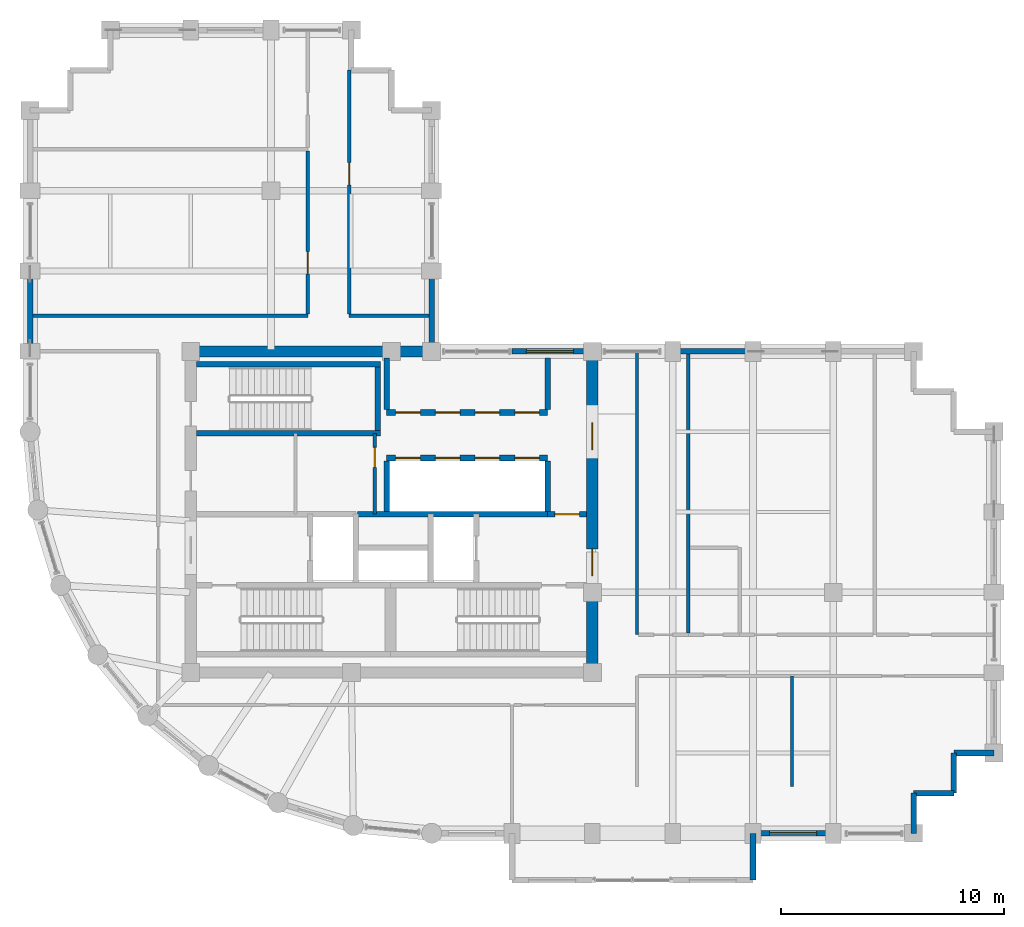
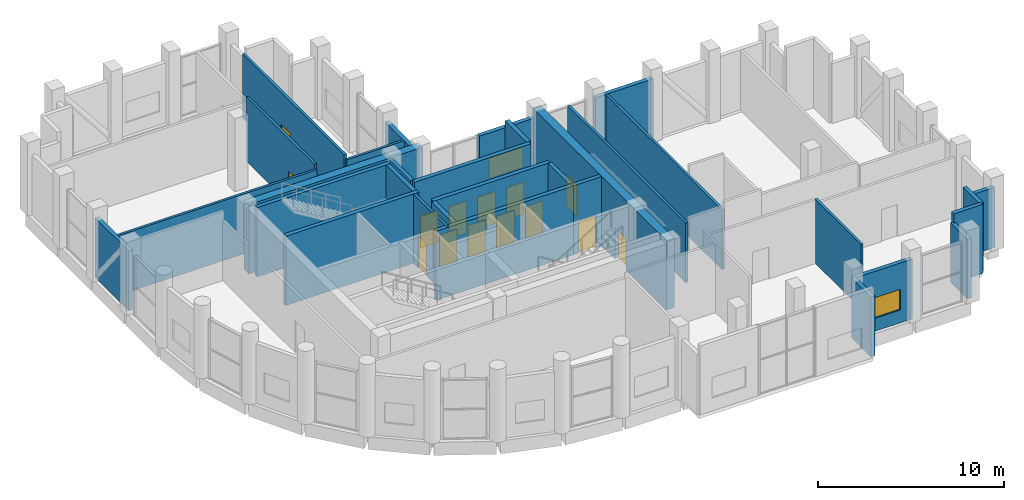
# One storey, part 14 of 16: 31 walls, 14 doors, 2 windows, 16 openings.
"""IFC4 building model written with IfcOpenShell, lengths in metres."""

from ifc_helpers import new_model, si_unit, direction, frame, frame_2d, origin, place, context, subcontext, project, spatial, rectangle, extrude, material, layer, layer_set, type_object, element, fill, save


model = new_model("IFC4")

# Units and contexts
model_context = context("Model", 3, precision=1e-05, world=origin(), true_north=direction((0.0, 1.0)))
body_context = subcontext(model_context, "Body", "Model", "MODEL_VIEW")
ifc_project = project(units=[si_unit("LENGTHUNIT", "METRE"), si_unit("AREAUNIT", "SQUARE_METRE"), si_unit("VOLUMEUNIT", "CUBIC_METRE"), si_unit("PLANEANGLEUNIT", "RADIAN"), si_unit("MASSUNIT", "GRAM", prefix="KILO")], contexts=[model_context])

# Site, building, storey
site_placement = place(None, origin())
site = spatial("IfcSite", under=ifc_project, at=site_placement, CompositionType="ELEMENT")
building_placement = place(site_placement, origin())
building = spatial("IfcBuilding", under=site, at=building_placement, Name="Solnavia Interchange Tower", CompositionType="ELEMENT")
storey_placement = place(building_placement, frame((0.0, 0.0, 209.0)))
storey = spatial("IfcBuildingStorey", under=building, at=storey_placement, Name="L52", CompositionType="ELEMENT", Elevation=209.0)

# Wall
ifc_material_1 = material(Name="Concrete C40/50", Category="concrete")
ifc_layer_1 = layer(ifc_material_1, 0.25)
ifc_layer_set_1 = layer_set([ifc_layer_1], Name="Concrete C40/50")
wall_type_1 = type_object("IfcWallType", Name="Wall-ExtSpandrel-250", PredefinedType="STANDARD", material=ifc_layer_set_1)
wall_1_placement = place(storey_placement, frame((39.60009765625, 3.60009765625, 0.0), z_axis=(0.0, 0.0, 1.0), x_axis=(0.0, -1.0, 0.0)))
element("IfcWall", 1, at=wall_1_placement, inside=storey, type_object=wall_type_1, Name="EXW-L52-06 Exterior precast spandrel wall", PredefinedType="STANDARD", context=body_context, shape_type="SweptSolid", body=[
    extrude(rectangle(XDim=2.10009765625, YDim=0.25, at=frame_2d((1.050048828125, 0.0))), origin(), (0.0, 0.0, 1.0), 3.929931640625),
])

# Wall, opening, window
wall_2_placement = place(storey_placement, frame((43.199951171875, 3.60009765625, 0.0), z_axis=(0.0, 0.0, 1.0), x_axis=(-1.0, 0.0, 0.0)))
wall_2 = element("IfcWall", 2, at=wall_2_placement, inside=storey, type_object=wall_type_1, Name="EXW-L52-07 Exterior precast spandrel wall", PredefinedType="STANDARD", context=body_context, shape_type="SweptSolid", body=[
    extrude(rectangle(XDim=3.599853515625, YDim=0.25, at=frame_2d((1.7998046875, 0.0))), origin(), (0.0, 0.0, 1.0), 3.929931640625),
])
opening_1_placement = place(wall_2_placement, frame((0.75, 0.0, 0.85009765625)))
opening_1 = element("IfcOpeningElement", 3, at=opening_1_placement, cuts=wall_2, Name="Opening WIN-01", PredefinedType="OPENING", context=body_context, shape_type="SweptSolid", body=[
    extrude(rectangle(XDim=2.10009765625, YDim=1.35009765625, at=frame_2d((1.050048828125, 0.675048828125))), frame((0.0, 0.135009765625, 0.0), z_axis=(0.0, -1.0, 0.0), x_axis=(1.0, 0.0, 0.0)), (0.0, 0.0, 1.0), 0.27001953125),
])
ifc_material_2 = material(Name="Thermal-Break Aluminium & Low-E Glass", Category="aluminium")
window_type = type_object("IfcWindowType", Name="Window-Ribbon-2100x1350", PartitioningType="SINGLE_PANEL", PredefinedType="WINDOW", material=ifc_material_2)
window_1_placement = place(opening_1_placement, origin())
window_1 = element("IfcWindow", 4, at=window_1_placement, inside=storey, type_object=window_type, Name="WIN-L52-07 Facade ribbon window", OverallHeight=1.35009765625, OverallWidth=2.10009765625, PartitioningType="SINGLE_PANEL", PredefinedType="WINDOW", context=body_context, shape_type="SweptSolid", body=[
    extrude(rectangle(XDim=2.10009765625, YDim=1.35009765625, at=frame_2d((1.050048828125, 0.675048828125))), frame((0.0, 0.030029296875, 0.0), z_axis=(0.0, -1.0, 0.0), x_axis=(1.0, 0.0, 0.0)), (0.0, 0.0, 1.0), 0.06005859375),
])
fill(opening_1, window_1)

# Walls
wall_3_placement = place(storey_placement, frame((46.800048828125, 5.39990234375, 0.0), z_axis=(0.0, 0.0, 1.0), x_axis=(0.0, -1.0, 0.0)))
element("IfcWall", 5, at=wall_3_placement, inside=storey, type_object=wall_type_1, Name="EXW-L52-09 Exterior precast spandrel wall", PredefinedType="STANDARD", context=body_context, shape_type="SweptSolid", body=[
    extrude(rectangle(XDim=1.7998046875, YDim=0.25, at=frame_2d((0.89990234375, 0.0))), origin(), (0.0, 0.0, 1.0), 3.929931640625),
])
for number, where, z_axis, x_axis, name in (
    (6, (48.60009765625, 5.39990234375, 0.0), (0.0, 0.0, 1.0), (-1.0, 0.0, 0.0), "EXW-L52-10 Exterior precast spandrel wall"),
    (7, (48.60009765625, 7.199951171875, 0.0), (0.0, 0.0, 1.0), (0.0, -1.0, 0.0), "EXW-L52-11 Exterior precast spandrel wall"),
):
    element("IfcWall", number, at=place(storey_placement, frame(where, z_axis=z_axis, x_axis=x_axis)), inside=storey, type_object=wall_type_1, Name=name, PredefinedType="STANDARD", context=body_context, shape_type="SweptSolid", body=[
        extrude(rectangle(XDim=1.800048828125, YDim=0.25, at=frame_2d((0.89990234375, 0.0))), origin(), (0.0, 0.0, 1.0), 4.534912109375),
    ])
wall_4_placement = place(storey_placement, frame((50.39990234375, 7.199951171875, 0.0), z_axis=(0.0, 0.0, 1.0), x_axis=(-1.0, 0.0, 0.0)))
element("IfcWall", 8, at=wall_4_placement, inside=storey, type_object=wall_type_1, Name="EXW-L52-12 Exterior precast spandrel wall", PredefinedType="STANDARD", context=body_context, shape_type="SweptSolid", body=[
    extrude(rectangle(XDim=1.7998046875, YDim=0.25, at=frame_2d((0.89990234375, 0.0))), origin(), (0.0, 0.0, 1.0), 3.929931640625),
])
wall_5_placement = place(storey_placement, frame((36.0, 25.199951171875, 0.0), z_axis=(0.0, 0.0, 1.0), x_axis=(1.0, 0.0, 0.0)))
element("IfcWall", 9, at=wall_5_placement, inside=storey, type_object=wall_type_1, Name="EXW-L52-23 Exterior precast spandrel wall", PredefinedType="STANDARD", context=body_context, shape_type="SweptSolid", body=[
    extrude(rectangle(XDim=3.60009765625, YDim=0.25, at=frame_2d((1.800048828125, 0.0))), origin(), (0.0, 0.0, 1.0), 3.929931640625),
])

# Wall, opening, window
wall_6_placement = place(storey_placement, frame((28.800048828125, 25.199951171875, 0.0), z_axis=(0.0, 0.0, 1.0), x_axis=(1.0, 0.0, 0.0)))
wall_6 = element("IfcWall", 10, at=wall_6_placement, inside=storey, type_object=wall_type_1, Name="EXW-L52-25 Exterior precast spandrel wall", PredefinedType="STANDARD", context=body_context, shape_type="SweptSolid", body=[
    extrude(rectangle(XDim=3.599853515625, YDim=0.25, at=frame_2d((1.7998046875, 0.0))), origin(), (0.0, 0.0, 1.0), 3.929931640625),
])
opening_2_placement = place(wall_6_placement, frame((0.64501953125, 0.0, 0.85009765625)))
opening_2 = element("IfcOpeningElement", 11, at=opening_2_placement, cuts=wall_6, Name="Opening WIN-01", PredefinedType="OPENING", context=body_context, shape_type="SweptSolid", body=[
    extrude(rectangle(XDim=2.10009765625, YDim=1.35009765625, at=frame_2d((1.050048828125, 0.675048828125))), frame((0.0, 0.135009765625, 0.0), z_axis=(0.0, -1.0, 0.0), x_axis=(1.0, 0.0, 0.0)), (0.0, 0.0, 1.0), 0.27001953125),
])
window_2_placement = place(opening_2_placement, origin())
window_2 = element("IfcWindow", 12, at=window_2_placement, inside=storey, type_object=window_type, Name="WIN-L52-25 Facade ribbon window", OverallHeight=1.35009765625, OverallWidth=2.10009765625, PartitioningType="SINGLE_PANEL", PredefinedType="WINDOW", context=body_context, shape_type="SweptSolid", body=[
    extrude(rectangle(XDim=2.10009765625, YDim=1.35009765625, at=frame_2d((1.050048828125, 0.675048828125))), frame((0.0, 0.030029296875, 0.0), z_axis=(0.0, -1.0, 0.0), x_axis=(1.0, 0.0, 0.0)), (0.0, 0.0, 1.0), 0.06005859375),
])
fill(opening_2, window_2)

# Walls
for number, where, z_axis, x_axis, name in (
    (13, (25.199951171875, 25.199951171875, 0.0), (0.0, 0.0, 1.0), (0.0, 1.0, 0.0), "EXW-L52-27 Exterior precast spandrel wall"),
    (14, (7.199951171875, 25.199951171875, 0.0), (0.0, 0.0, 1.0), (0.0, 1.0, 0.0), "EXW-L52-43 Exterior precast spandrel wall"),
):
    element("IfcWall", number, at=place(storey_placement, frame(where, z_axis=z_axis, x_axis=x_axis)), inside=storey, type_object=wall_type_1, Name=name, PredefinedType="STANDARD", context=body_context, shape_type="SweptSolid", body=[
        extrude(rectangle(XDim=3.60009765625, YDim=0.25, at=frame_2d((1.800048828125, 0.0))), origin(), (0.0, 0.0, 1.0), 3.929931640625),
    ])

# Wall, opening, door
ifc_material_3 = material(Name="Gypsum Plasterboard & Steel Stud", Category="steel")
ifc_layer_2 = layer(ifc_material_3, 0.14990234375)
ifc_layer_set_2 = layer_set([ifc_layer_2], Name="Gypsum Plasterboard & Steel Stud")
wall_type_2 = type_object("IfcWallType", Name="Wall-Partition-150", PredefinedType="PARTITIONING", material=ifc_layer_set_2)
wall_7_placement = place(storey_placement, frame((22.64990234375, 17.89990234375, 0.0), z_axis=(0.0, 0.0, 1.0), x_axis=(0.0, 1.0, 0.0)))
wall_7 = element("IfcWall", 15, at=wall_7_placement, inside=storey, type_object=wall_type_2, Name="CSW-L52-E Core shaft wall", PredefinedType="PARTITIONING", context=body_context, shape_type="SweptSolid", body=[
    extrude(rectangle(XDim=3.625, YDim=0.14990234375, at=frame_2d((1.8125, 0.0))), origin(), (0.0, 0.0, 1.0), 4.534912109375),
])
opening_3_placement = place(wall_7_placement, frame((2.10009765625, 0.0, 0.0)))
opening_3 = element("IfcOpeningElement", 16, at=opening_3_placement, cuts=wall_7, Name="Opening DR-09", PredefinedType="OPENING", context=body_context, shape_type="SweptSolid", body=[
    extrude(rectangle(XDim=0.89990234375, YDim=2.10009765625, at=frame_2d((0.449951171875, 1.050048828125))), frame((0.0, 0.0849609375, 0.0), z_axis=(0.0, -1.0, 0.0), x_axis=(1.0, 0.0, 0.0)), (0.0, 0.0, 1.0), 0.169921875),
])
ifc_material_4 = material(Name="Engineered Oak Veneer Door", Category="wood")
door_type_1 = type_object("IfcDoorType", Name="Door-Internal-900x2100", OperationType="SINGLE_SWING_LEFT", PredefinedType="DOOR", material=ifc_material_4)
door_1_placement = place(opening_3_placement, origin())
door_1 = element("IfcDoor", 17, at=door_1_placement, inside=storey, type_object=door_type_1, Name="DR-L52-CS2 Core fire door", OperationType="SINGLE_SWING_LEFT", OverallHeight=2.10009765625, OverallWidth=0.89990234375, PredefinedType="DOOR", context=body_context, shape_type="SweptSolid", body=[
    extrude(rectangle(XDim=0.89990234375, YDim=2.10009765625, at=frame_2d((0.449951171875, 1.050048828125))), frame((0.0, 0.02490234375, 0.0), z_axis=(0.0, -1.0, 0.0), x_axis=(1.0, 0.0, 0.0)), (0.0, 0.0, 1.0), 0.050048828125),
])
fill(opening_3, door_1)

# Walls
wall_8_placement = place(storey_placement, frame((41.35009765625, 5.699951171875, 0.0), z_axis=(0.0, 0.0, 1.0), x_axis=(0.0, 1.0, 0.0)))
element("IfcWall", 18, at=wall_8_placement, inside=storey, type_object=wall_type_2, Name="PTW-L52-14 Interior partition wall", PredefinedType="PARTITIONING", context=body_context, shape_type="SweptSolid", body=[
    extrude(rectangle(XDim=4.949951171875, YDim=0.14990234375, at=frame_2d((2.47509765625, 0.0))), origin(), (0.0, 0.0, 1.0), 4.199951171875),
])
wall_9_placement = place(storey_placement, frame((7.3291015625, 26.800048828125, 0.0), z_axis=(0.0, 0.0, 1.0), x_axis=(1.0, 0.0, 0.0)))
element("IfcWall", 19, at=wall_9_placement, inside=storey, type_object=wall_type_2, Name="PTW-L52-20 Interior partition wall", PredefinedType="PARTITIONING", context=body_context, shape_type="SweptSolid", body=[
    extrude(rectangle(XDim=12.32080078125, YDim=0.14990234375, at=frame_2d((6.160400390625, 0.0))), origin(), (0.0, 0.0, 1.0), 3.929931640625),
])

# Wall, opening, door
wall_10_placement = place(storey_placement, frame((19.64990234375, 26.87890625, 0.0), z_axis=(0.0, 0.0, 1.0), x_axis=(0.0, 1.0, 0.0)))
wall_10 = element("IfcWall", 20, at=wall_10_placement, inside=storey, type_object=wall_type_2, Name="PTW-L52-22 Interior partition wall", PredefinedType="PARTITIONING", context=body_context, shape_type="SweptSolid", body=[
    extrude(rectangle(XDim=7.2919921875, YDim=0.14990234375, at=frame_2d((3.64599609375, 0.0))), origin(), (0.0, 0.0, 1.0), 4.22998046875),
])
opening_4_placement = place(wall_10_placement, frame((1.79296875, 0.0, 0.0)))
opening_4 = element("IfcOpeningElement", 21, at=opening_4_placement, cuts=wall_10, Name="Opening DR-07", PredefinedType="OPENING", context=body_context, shape_type="SweptSolid", body=[
    extrude(rectangle(XDim=1.0, YDim=2.10009765625, at=frame_2d((0.5, 1.050048828125))), frame((0.0, 0.0849609375, 0.0), z_axis=(0.0, -1.0, 0.0), x_axis=(1.0, 0.0, 0.0)), (0.0, 0.0, 1.0), 0.169921875),
])
ifc_material_5 = material(Name="Timber & Acoustic Glazed Office Door", Category="wood")
door_type_2 = type_object("IfcDoorType", Name="Door-Office-1000x2100", OperationType="SINGLE_SWING_RIGHT", PredefinedType="DOOR", material=ifc_material_5)
door_2_placement = place(opening_4_placement, origin())
door_2 = element("IfcDoor", 22, at=door_2_placement, inside=storey, type_object=door_type_2, Name="DR-L52-10 Interior room door", OperationType="SINGLE_SWING_RIGHT", OverallHeight=2.10009765625, OverallWidth=1.0, PredefinedType="DOOR", context=body_context, shape_type="SweptSolid", body=[
    extrude(rectangle(XDim=1.0, YDim=2.10009765625, at=frame_2d((0.5, 1.050048828125))), frame((0.0, 0.02490234375, 0.0), z_axis=(0.0, -1.0, 0.0), x_axis=(1.0, 0.0, 0.0)), (0.0, 0.0, 1.0), 0.050048828125),
])
fill(opening_4, door_2)

# Wall
wall_11_placement = place(storey_placement, frame((21.5, 26.800048828125, 0.0), z_axis=(0.0, 0.0, 1.0), x_axis=(1.0, 0.0, 0.0)))
element("IfcWall", 23, at=wall_11_placement, inside=storey, type_object=wall_type_2, Name="PTW-L52-24 Interior partition wall", PredefinedType="PARTITIONING", context=body_context, shape_type="SweptSolid", body=[
    extrude(rectangle(XDim=3.571044921875, YDim=0.14990234375, at=frame_2d((1.78564453125, 0.0))), origin(), (0.0, 0.0, 1.0), 3.929931640625),
])

# Wall, opening, door
wall_12_placement = place(storey_placement, frame((21.5, 26.87890625, 0.0), z_axis=(0.0, 0.0, 1.0), x_axis=(0.0, 1.0, 0.0)))
wall_12 = element("IfcWall", 24, at=wall_12_placement, inside=storey, type_object=wall_type_2, Name="PTW-L52-25 Interior partition wall", PredefinedType="PARTITIONING", context=body_context, shape_type="SweptSolid", body=[
    extrude(rectangle(XDim=10.921142578125, YDim=0.14990234375, at=frame_2d((5.46044921875, 0.0))), origin(), (0.0, 0.0, 1.0), 4.199951171875),
])
opening_5_placement = place(wall_12_placement, frame((5.781005859375, 0.0, 0.0)))
opening_5 = element("IfcOpeningElement", 25, at=opening_5_placement, cuts=wall_12, Name="Opening DR-07", PredefinedType="OPENING", context=body_context, shape_type="SweptSolid", body=[
    extrude(rectangle(XDim=1.0, YDim=2.10009765625, at=frame_2d((0.5, 1.050048828125))), frame((0.0, 0.0849609375, 0.0), z_axis=(0.0, -1.0, 0.0), x_axis=(1.0, 0.0, 0.0)), (0.0, 0.0, 1.0), 0.169921875),
])
door_3_placement = place(opening_5_placement, origin())
door_3 = element("IfcDoor", 26, at=door_3_placement, inside=storey, type_object=door_type_2, Name="DR-L52-12 Interior room door", OperationType="SINGLE_SWING_LEFT", OverallHeight=2.10009765625, OverallWidth=1.0, PredefinedType="DOOR", context=body_context, shape_type="SweptSolid", body=[
    extrude(rectangle(XDim=1.0, YDim=2.10009765625, at=frame_2d((0.5, 1.050048828125))), frame((0.0, 0.02490234375, 0.0), z_axis=(0.0, -1.0, 0.0), x_axis=(1.0, 0.0, 0.0)), (0.0, 0.0, 1.0), 0.050048828125),
])
fill(opening_5, door_3)

# Walls
ifc_layer_3 = layer(ifc_material_1, 0.25)
ifc_layer_set_3 = layer_set([ifc_layer_3], Name="Concrete C40/50")
wall_type_3 = type_object("IfcWallType", Name="Wall-ShaftCore-250", PredefinedType="SHEAR", material=ifc_layer_set_3)
for number, where, z_axis, x_axis, name in (
    (27, (14.64990234375, 21.52490234375, 0.0), (0.0, 0.0, 1.0), (1.0, 0.0, 0.0), "SHW-L52-ST3S Core shear wall"),
    (28, (14.64990234375, 24.614990234375, 0.0), (0.0, 0.0, 1.0), (1.0, 0.0, 0.0), "SHW-L52-ST3N Core shear wall"),
):
    element("IfcWall", number, at=place(storey_placement, frame(where, z_axis=z_axis, x_axis=x_axis)), inside=storey, type_object=wall_type_3, Name=name, PredefinedType="SHEAR", context=body_context, shape_type="SweptSolid", body=[
        extrude(rectangle(XDim=8.25, YDim=0.25, at=frame_2d((4.125, 0.0))), origin(), (0.0, 0.0, 1.0), 4.550048828125),
    ])
wall_13_placement = place(storey_placement, frame((22.77490234375, 21.64990234375, 0.0), z_axis=(0.0, 0.0, 1.0), x_axis=(0.0, 1.0, 0.0)))
element("IfcWall", 29, at=wall_13_placement, inside=storey, type_object=wall_type_3, Name="SHW-L52-ST3E Core shear wall", PredefinedType="SHEAR", context=body_context, shape_type="SweptSolid", body=[
    extrude(rectangle(XDim=2.840087890625, YDim=0.25, at=frame_2d((1.419921875, 0.0))), origin(), (0.0, 0.0, 1.0), 4.550048828125),
])
ifc_layer_4 = layer(ifc_material_1, 0.25)
ifc_layer_set_4 = layer_set([ifc_layer_4], Name="Concrete C40/50")
wall_type_4 = type_object("IfcWallType", Name="Wall-ShaftPart-250", PredefinedType="PARTITIONING", material=ifc_layer_set_4)
wall_14_placement = place(storey_placement, frame((21.8798828125, 17.89990234375, 0.0), z_axis=(0.0, 0.0, 1.0), x_axis=(1.0, 0.0, 0.0)))
element("IfcWall", 30, at=wall_14_placement, inside=storey, type_object=wall_type_4, Name="SHW-L52-FFLE-N1 Core shaft wall", PredefinedType="PARTITIONING", context=body_context, shape_type="SweptSolid", body=[
    extrude(rectangle(XDim=8.52001953125, YDim=0.25, at=frame_2d((4.260009765625, 0.0))), origin(), (0.0, 0.0, 1.0), 4.534912109375),
])

# Wall, opening, door
wall_15_placement = place(storey_placement, frame((30.39990234375, 17.89990234375, 0.0), z_axis=(0.0, 0.0, 1.0), x_axis=(1.0, 0.0, 0.0)))
wall_15 = element("IfcWall", 31, at=wall_15_placement, inside=storey, type_object=wall_type_4, Name="SHW-L52-FFLE-N2 Core shaft wall", PredefinedType="PARTITIONING", context=body_context, shape_type="SweptSolid", body=[
    extrude(rectangle(XDim=1.75, YDim=0.25, at=frame_2d((0.875, 0.0))), origin(), (0.0, 0.0, 1.0), 4.534912109375),
])
opening_6_placement = place(wall_15_placement, frame((0.320068359375, 0.0, 0.0)))
opening_6 = element("IfcOpeningElement", 32, at=opening_6_placement, cuts=wall_15, Name="Opening DR-01", PredefinedType="OPENING", context=body_context, shape_type="SweptSolid", body=[
    extrude(rectangle(XDim=1.10009765625, YDim=2.10009765625, at=frame_2d((0.550048828125, 1.050048828125))), frame((0.0, 0.135009765625, 0.0), z_axis=(0.0, -1.0, 0.0), x_axis=(1.0, 0.0, 0.0)), (0.0, 0.0, 1.0), 0.27001953125),
])
ifc_material_6 = material(Name="Steel Fire-Rated Leaf & Frame", Category="steel")
door_type_3 = type_object("IfcDoorType", Name="Door-StairFire-1100x2100", OperationType="SINGLE_SWING_LEFT", PredefinedType="DOOR", material=ifc_material_6)
door_4_placement = place(opening_6_placement, origin())
door_4 = element("IfcDoor", 33, at=door_4_placement, inside=storey, type_object=door_type_3, Name="DR-L52-LLC Core fire door", OperationType="SINGLE_SWING_LEFT", OverallHeight=2.10009765625, OverallWidth=1.10009765625, PredefinedType="DOOR", context=body_context, shape_type="SweptSolid", body=[
    extrude(rectangle(XDim=1.10009765625, YDim=2.10009765625, at=frame_2d((0.550048828125, 1.050048828125))), frame((0.0, 0.02490234375, 0.0), z_axis=(0.0, -1.0, 0.0), x_axis=(1.0, 0.0, 0.0)), (0.0, 0.0, 1.0), 0.050048828125),
])
fill(opening_6, door_4)

# Wall, openings, doors
wall_16_placement = place(storey_placement, frame((23.179931640625, 20.419921875, 0.0), z_axis=(0.0, 0.0, 1.0), x_axis=(1.0, 0.0, 0.0)))
wall_16 = element("IfcWall", 34, at=wall_16_placement, inside=storey, type_object=wall_type_4, Name="SHW-L52-B2N Core shaft wall", PredefinedType="PARTITIONING", context=body_context, shape_type="SweptSolid", body=[
    extrude(rectangle(XDim=7.219970703125, YDim=0.25, at=frame_2d((3.60986328125, 0.0))), origin(), (0.0, 0.0, 1.0), 4.534912109375),
])
opening_7_placement = place(wall_16_placement, frame((0.409912109375, 0.0, 0.0)))
opening_7 = element("IfcOpeningElement", 35, at=opening_7_placement, cuts=wall_16, Name="Opening LD-01", PredefinedType="OPENING", context=body_context, shape_type="SweptSolid", body=[
    extrude(rectangle(XDim=1.10009765625, YDim=2.10009765625, at=frame_2d((0.550048828125, 1.050048828125))), frame((0.0, 0.135009765625, 0.0), z_axis=(0.0, -1.0, 0.0), x_axis=(1.0, 0.0, 0.0)), (0.0, 0.0, 1.0), 0.27001953125),
])
opening_8_placement = place(wall_16_placement, frame((2.18994140625, 0.0, 0.0)))
opening_8 = element("IfcOpeningElement", 36, at=opening_8_placement, cuts=wall_16, Name="Opening LD-01", PredefinedType="OPENING", context=body_context, shape_type="SweptSolid", body=[
    extrude(rectangle(XDim=1.10009765625, YDim=2.10009765625, at=frame_2d((0.550048828125, 1.050048828125))), frame((0.0, 0.135009765625, 0.0), z_axis=(0.0, -1.0, 0.0), x_axis=(1.0, 0.0, 0.0)), (0.0, 0.0, 1.0), 0.27001953125),
])
opening_9_placement = place(wall_16_placement, frame((3.969970703125, 0.0, 0.0)))
opening_9 = element("IfcOpeningElement", 37, at=opening_9_placement, cuts=wall_16, Name="Opening LD-01", PredefinedType="OPENING", context=body_context, shape_type="SweptSolid", body=[
    extrude(rectangle(XDim=1.10009765625, YDim=2.10009765625, at=frame_2d((0.550048828125, 1.050048828125))), frame((0.0, 0.135009765625, 0.0), z_axis=(0.0, -1.0, 0.0), x_axis=(1.0, 0.0, 0.0)), (0.0, 0.0, 1.0), 0.27001953125),
])
opening_10_placement = place(wall_16_placement, frame((5.75, 0.0, 0.0)))
opening_10 = element("IfcOpeningElement", 38, at=opening_10_placement, cuts=wall_16, Name="Opening LD-01", PredefinedType="OPENING", context=body_context, shape_type="SweptSolid", body=[
    extrude(rectangle(XDim=1.10009765625, YDim=2.10009765625, at=frame_2d((0.550048828125, 1.050048828125))), frame((0.0, 0.135009765625, 0.0), z_axis=(0.0, -1.0, 0.0), x_axis=(1.0, 0.0, 0.0)), (0.0, 0.0, 1.0), 0.27001953125),
])
ifc_material_7 = material(Name="Brushed Stainless Steel Sliding Door", Category="steel")
door_type_4 = type_object("IfcDoorType", Name="Door-LiftLanding-1100x2100", OperationType="SLIDING_TO_LEFT", PredefinedType="DOOR", material=ifc_material_7)
door_5_placement = place(opening_7_placement, origin())
door_5 = element("IfcDoor", 39, at=door_5_placement, inside=storey, type_object=door_type_4, Name="LD-L52-B2-1 Lift landing sliding door", OperationType="SLIDING_TO_LEFT", OverallHeight=2.10009765625, OverallWidth=1.10009765625, PredefinedType="DOOR", context=body_context, shape_type="SweptSolid", body=[
    extrude(rectangle(XDim=1.10009765625, YDim=2.10009765625, at=frame_2d((0.550048828125, 1.050048828125))), frame((0.0, 0.02490234375, 0.0), z_axis=(0.0, -1.0, 0.0), x_axis=(1.0, 0.0, 0.0)), (0.0, 0.0, 1.0), 0.050048828125),
])
fill(opening_7, door_5)
door_6_placement = place(opening_8_placement, origin())
door_6 = element("IfcDoor", 40, at=door_6_placement, inside=storey, type_object=door_type_4, Name="LD-L52-B2-2 Lift landing sliding door", OperationType="SLIDING_TO_LEFT", OverallHeight=2.10009765625, OverallWidth=1.10009765625, PredefinedType="DOOR", context=body_context, shape_type="SweptSolid", body=[
    extrude(rectangle(XDim=1.10009765625, YDim=2.10009765625, at=frame_2d((0.550048828125, 1.050048828125))), frame((0.0, 0.02490234375, 0.0), z_axis=(0.0, -1.0, 0.0), x_axis=(1.0, 0.0, 0.0)), (0.0, 0.0, 1.0), 0.050048828125),
])
fill(opening_8, door_6)
door_7_placement = place(opening_9_placement, origin())
door_7 = element("IfcDoor", 41, at=door_7_placement, inside=storey, type_object=door_type_4, Name="LD-L52-B2-3 Lift landing sliding door", OperationType="SLIDING_TO_LEFT", OverallHeight=2.10009765625, OverallWidth=1.10009765625, PredefinedType="DOOR", context=body_context, shape_type="SweptSolid", body=[
    extrude(rectangle(XDim=1.10009765625, YDim=2.10009765625, at=frame_2d((0.550048828125, 1.050048828125))), frame((0.0, 0.02490234375, 0.0), z_axis=(0.0, -1.0, 0.0), x_axis=(1.0, 0.0, 0.0)), (0.0, 0.0, 1.0), 0.050048828125),
])
fill(opening_9, door_7)
door_8_placement = place(opening_10_placement, origin())
door_8 = element("IfcDoor", 42, at=door_8_placement, inside=storey, type_object=door_type_4, Name="LD-L52-B2-4 Lift landing sliding door", OperationType="SLIDING_TO_LEFT", OverallHeight=2.10009765625, OverallWidth=1.10009765625, PredefinedType="DOOR", context=body_context, shape_type="SweptSolid", body=[
    extrude(rectangle(XDim=1.10009765625, YDim=2.10009765625, at=frame_2d((0.550048828125, 1.050048828125))), frame((0.0, 0.02490234375, 0.0), z_axis=(0.0, -1.0, 0.0), x_axis=(1.0, 0.0, 0.0)), (0.0, 0.0, 1.0), 0.050048828125),
])
fill(opening_10, door_8)

# Walls
for number, where, z_axis, x_axis, name in (
    (43, (23.179931640625, 18.02490234375, 0.0), (0.0, 0.0, 1.0), (0.0, 1.0, 0.0), "SHW-L52-B2W Core shaft wall"),
    (44, (30.39990234375, 18.02490234375, 0.0), (0.0, 0.0, 1.0), (0.0, 1.0, 0.0), "SHW-L52-B2E Core shaft wall"),
):
    element("IfcWall", number, at=place(storey_placement, frame(where, z_axis=z_axis, x_axis=x_axis)), inside=storey, type_object=wall_type_4, Name=name, PredefinedType="PARTITIONING", context=body_context, shape_type="SweptSolid", body=[
        extrude(rectangle(XDim=2.27001953125, YDim=0.25, at=frame_2d((1.135009765625, 0.0))), origin(), (0.0, 0.0, 1.0), 4.534912109375),
    ])

# Wall, openings, doors
wall_17_placement = place(storey_placement, frame((23.179931640625, 22.4599609375, 0.0), z_axis=(0.0, 0.0, 1.0), x_axis=(1.0, 0.0, 0.0)))
wall_17 = element("IfcWall", 45, at=wall_17_placement, inside=storey, type_object=wall_type_4, Name="SHW-L52-B3S Core shaft wall", PredefinedType="PARTITIONING", context=body_context, shape_type="SweptSolid", body=[
    extrude(rectangle(XDim=7.219970703125, YDim=0.25, at=frame_2d((3.60986328125, 0.0))), origin(), (0.0, 0.0, 1.0), 4.534912109375),
])
opening_11_placement = place(wall_17_placement, frame((0.409912109375, 0.0, 0.0)))
opening_11 = element("IfcOpeningElement", 46, at=opening_11_placement, cuts=wall_17, Name="Opening LD-01", PredefinedType="OPENING", context=body_context, shape_type="SweptSolid", body=[
    extrude(rectangle(XDim=1.10009765625, YDim=2.10009765625, at=frame_2d((0.550048828125, 1.050048828125))), frame((0.0, 0.135009765625, 0.0), z_axis=(0.0, -1.0, 0.0), x_axis=(1.0, 0.0, 0.0)), (0.0, 0.0, 1.0), 0.27001953125),
])
opening_12_placement = place(wall_17_placement, frame((2.18994140625, 0.0, 0.0)))
opening_12 = element("IfcOpeningElement", 47, at=opening_12_placement, cuts=wall_17, Name="Opening LD-01", PredefinedType="OPENING", context=body_context, shape_type="SweptSolid", body=[
    extrude(rectangle(XDim=1.10009765625, YDim=2.10009765625, at=frame_2d((0.550048828125, 1.050048828125))), frame((0.0, 0.135009765625, 0.0), z_axis=(0.0, -1.0, 0.0), x_axis=(1.0, 0.0, 0.0)), (0.0, 0.0, 1.0), 0.27001953125),
])
opening_13_placement = place(wall_17_placement, frame((3.969970703125, 0.0, 0.0)))
opening_13 = element("IfcOpeningElement", 48, at=opening_13_placement, cuts=wall_17, Name="Opening LD-01", PredefinedType="OPENING", context=body_context, shape_type="SweptSolid", body=[
    extrude(rectangle(XDim=1.10009765625, YDim=2.10009765625, at=frame_2d((0.550048828125, 1.050048828125))), frame((0.0, 0.135009765625, 0.0), z_axis=(0.0, -1.0, 0.0), x_axis=(1.0, 0.0, 0.0)), (0.0, 0.0, 1.0), 0.27001953125),
])
opening_14_placement = place(wall_17_placement, frame((5.75, 0.0, 0.0)))
opening_14 = element("IfcOpeningElement", 49, at=opening_14_placement, cuts=wall_17, Name="Opening LD-01", PredefinedType="OPENING", context=body_context, shape_type="SweptSolid", body=[
    extrude(rectangle(XDim=1.10009765625, YDim=2.10009765625, at=frame_2d((0.550048828125, 1.050048828125))), frame((0.0, 0.135009765625, 0.0), z_axis=(0.0, -1.0, 0.0), x_axis=(1.0, 0.0, 0.0)), (0.0, 0.0, 1.0), 0.27001953125),
])
door_9_placement = place(opening_11_placement, origin())
door_9 = element("IfcDoor", 50, at=door_9_placement, inside=storey, type_object=door_type_4, Name="LD-L52-B3-1 Lift landing sliding door", OperationType="SLIDING_TO_LEFT", OverallHeight=2.10009765625, OverallWidth=1.10009765625, PredefinedType="DOOR", context=body_context, shape_type="SweptSolid", body=[
    extrude(rectangle(XDim=1.10009765625, YDim=2.10009765625, at=frame_2d((0.550048828125, 1.050048828125))), frame((0.0, 0.02490234375, 0.0), z_axis=(0.0, -1.0, 0.0), x_axis=(1.0, 0.0, 0.0)), (0.0, 0.0, 1.0), 0.050048828125),
])
fill(opening_11, door_9)
door_10_placement = place(opening_12_placement, origin())
door_10 = element("IfcDoor", 51, at=door_10_placement, inside=storey, type_object=door_type_4, Name="LD-L52-B3-2 Lift landing sliding door", OperationType="SLIDING_TO_LEFT", OverallHeight=2.10009765625, OverallWidth=1.10009765625, PredefinedType="DOOR", context=body_context, shape_type="SweptSolid", body=[
    extrude(rectangle(XDim=1.10009765625, YDim=2.10009765625, at=frame_2d((0.550048828125, 1.050048828125))), frame((0.0, 0.02490234375, 0.0), z_axis=(0.0, -1.0, 0.0), x_axis=(1.0, 0.0, 0.0)), (0.0, 0.0, 1.0), 0.050048828125),
])
fill(opening_12, door_10)
door_11_placement = place(opening_13_placement, origin())
door_11 = element("IfcDoor", 52, at=door_11_placement, inside=storey, type_object=door_type_4, Name="LD-L52-B3-3 Lift landing sliding door", OperationType="SLIDING_TO_LEFT", OverallHeight=2.10009765625, OverallWidth=1.10009765625, PredefinedType="DOOR", context=body_context, shape_type="SweptSolid", body=[
    extrude(rectangle(XDim=1.10009765625, YDim=2.10009765625, at=frame_2d((0.550048828125, 1.050048828125))), frame((0.0, 0.02490234375, 0.0), z_axis=(0.0, -1.0, 0.0), x_axis=(1.0, 0.0, 0.0)), (0.0, 0.0, 1.0), 0.050048828125),
])
fill(opening_13, door_11)
door_12_placement = place(opening_14_placement, origin())
door_12 = element("IfcDoor", 53, at=door_12_placement, inside=storey, type_object=door_type_4, Name="LD-L52-B3-4 Lift landing sliding door", OperationType="SLIDING_TO_LEFT", OverallHeight=2.10009765625, OverallWidth=1.10009765625, PredefinedType="DOOR", context=body_context, shape_type="SweptSolid", body=[
    extrude(rectangle(XDim=1.10009765625, YDim=2.10009765625, at=frame_2d((0.550048828125, 1.050048828125))), frame((0.0, 0.02490234375, 0.0), z_axis=(0.0, -1.0, 0.0), x_axis=(1.0, 0.0, 0.0)), (0.0, 0.0, 1.0), 0.050048828125),
])
fill(opening_14, door_12)

# Walls
for number, where, z_axis, x_axis, name in (
    (54, (23.179931640625, 22.5849609375, 0.0), (0.0, 0.0, 1.0), (0.0, 1.0, 0.0), "SHW-L52-B3W Core shaft wall"),
    (55, (30.39990234375, 22.5849609375, 0.0), (0.0, 0.0, 1.0), (0.0, 1.0, 0.0), "SHW-L52-B3E Core shaft wall"),
):
    element("IfcWall", number, at=place(storey_placement, frame(where, z_axis=z_axis, x_axis=x_axis)), inside=storey, type_object=wall_type_4, Name=name, PredefinedType="PARTITIONING", context=body_context, shape_type="SweptSolid", body=[
        extrude(rectangle(XDim=2.31494140625, YDim=0.25, at=frame_2d((1.157470703125, 0.0))), origin(), (0.0, 0.0, 1.0), 4.534912109375),
    ])
ifc_material_8 = material(Name="Concrete C60/75", Category="concrete")
ifc_layer_5 = layer(ifc_material_8, 0.5)
ifc_layer_set_5 = layer_set([ifc_layer_5], Name="Concrete C60/75")
wall_type_5 = type_object("IfcWallType", Name="Wall-ShearCore-500", PredefinedType="SHEAR", material=ifc_layer_set_5)
wall_18_placement = place(storey_placement, frame((14.39990234375, 25.199951171875, 0.0), z_axis=(0.0, 0.0, 1.0), x_axis=(1.0, 0.0, 0.0)))
element("IfcWall", 56, at=wall_18_placement, inside=storey, type_object=wall_type_5, Name="CRW-L52-N Core shear wall", PredefinedType="SHEAR", context=body_context, shape_type="SweptSolid", body=[
    extrude(rectangle(XDim=10.800048828125, YDim=0.5, at=frame_2d((5.39990234375, 0.0))), origin(), (0.0, 0.0, 1.0), 4.550048828125),
])

# Wall, openings, doors
wall_19_placement = place(storey_placement, frame((32.39990234375, 10.800048828125, 0.0), z_axis=(0.0, 0.0, 1.0), x_axis=(0.0, 1.0, 0.0)))
wall_19 = element("IfcWall", 57, at=wall_19_placement, inside=storey, type_object=wall_type_5, Name="CRW-L52-E Core shear wall", PredefinedType="SHEAR", context=body_context, shape_type="SweptSolid", body=[
    extrude(rectangle(XDim=14.39990234375, YDim=0.5, at=frame_2d((7.199951171875, 0.0))), origin(), (0.0, 0.0, 1.0), 4.550048828125),
])
opening_15_placement = place(wall_19_placement, frame((4.35009765625, 0.0, 0.0)))
opening_15 = element("IfcOpeningElement", 58, at=opening_15_placement, cuts=wall_19, Name="Opening DR-02", PredefinedType="OPENING", context=body_context, shape_type="SweptSolid", body=[
    extrude(rectangle(XDim=1.199951171875, YDim=2.10009765625, at=frame_2d((0.60009765625, 1.050048828125))), frame((0.0, 0.260009765625, 0.0), z_axis=(0.0, -1.0, 0.0), x_axis=(1.0, 0.0, 0.0)), (0.0, 0.0, 1.0), 0.52001953125),
])
opening_16_placement = place(wall_19_placement, frame((10.0, 0.0, 0.0)))
opening_16 = element("IfcOpeningElement", 59, at=opening_16_placement, cuts=wall_19, Name="Opening DR-02", PredefinedType="OPENING", context=body_context, shape_type="SweptSolid", body=[
    extrude(rectangle(XDim=1.199951171875, YDim=2.10009765625, at=frame_2d((0.60009765625, 1.050048828125))), frame((0.0, 0.260009765625, 0.0), z_axis=(0.0, -1.0, 0.0), x_axis=(1.0, 0.0, 0.0)), (0.0, 0.0, 1.0), 0.52001953125),
])
ifc_material_9 = material(Name="Steel Fire-Rated Vision-Panel Door", Category="steel")
door_type_5 = type_object("IfcDoorType", Name="Door-LobbyFire-1200x2100", OperationType="SINGLE_SWING_RIGHT", PredefinedType="DOOR", material=ifc_material_9)
door_13_placement = place(opening_15_placement, origin())
door_13 = element("IfcDoor", 60, at=door_13_placement, inside=storey, type_object=door_type_5, Name="DR-L52-FFL2E Core fire door", OperationType="SINGLE_SWING_LEFT", OverallHeight=2.10009765625, OverallWidth=1.199951171875, PredefinedType="DOOR", context=body_context, shape_type="SweptSolid", body=[
    extrude(rectangle(XDim=1.199951171875, YDim=2.10009765625, at=frame_2d((0.60009765625, 1.050048828125))), frame((0.0, 0.02490234375, 0.0), z_axis=(0.0, -1.0, 0.0), x_axis=(1.0, 0.0, 0.0)), (0.0, 0.0, 1.0), 0.050048828125),
])
fill(opening_15, door_13)
door_14_placement = place(opening_16_placement, origin())
door_14 = element("IfcDoor", 61, at=door_14_placement, inside=storey, type_object=door_type_5, Name="DR-L52-LLE Core fire door", OperationType="SINGLE_SWING_RIGHT", OverallHeight=2.10009765625, OverallWidth=1.199951171875, PredefinedType="DOOR", context=body_context, shape_type="SweptSolid", body=[
    extrude(rectangle(XDim=1.199951171875, YDim=2.10009765625, at=frame_2d((0.60009765625, 1.050048828125))), frame((0.0, 0.02490234375, 0.0), z_axis=(0.0, -1.0, 0.0), x_axis=(1.0, 0.0, 0.0)), (0.0, 0.0, 1.0), 0.050048828125),
])
fill(opening_16, door_14)

# Walls
ifc_material_10 = material(Name="Moisture-Resistant Gypsum & Steel Stud", Category="steel")
ifc_layer_6 = layer(ifc_material_10, 0.14990234375)
ifc_layer_set_6 = layer_set([ifc_layer_6], Name="Moisture-Resistant Gypsum & Steel Stud")
wall_type_6 = type_object("IfcWallType", Name="Wall-WetRoom-150", PredefinedType="PARTITIONING", material=ifc_layer_set_6)
wall_20_placement = place(storey_placement, frame((34.39990234375, 12.5, 0.0), z_axis=(0.0, 0.0, 1.0), x_axis=(0.0, 1.0, 0.0)))
element("IfcWall", 62, at=wall_20_placement, inside=storey, type_object=wall_type_6, Name="PTW-L52-01 Interior partition wall", PredefinedType="PARTITIONING", context=body_context, shape_type="SweptSolid", body=[
    extrude(rectangle(XDim=12.699951171875, YDim=0.14990234375, at=frame_2d((6.35009765625, 0.0))), origin(), (0.0, 0.0, 1.0), 3.929931640625),
])
wall_21_placement = place(storey_placement, frame((36.699951171875, 12.5791015625, 0.0), z_axis=(0.0, 0.0, 1.0), x_axis=(0.0, 1.0, 0.0)))
element("IfcWall", 63, at=wall_21_placement, inside=storey, type_object=wall_type_6, Name="PTW-L52-03 Interior partition wall", PredefinedType="PARTITIONING", context=body_context, shape_type="SweptSolid", body=[
    extrude(rectangle(XDim=12.491943359375, YDim=0.14990234375, at=frame_2d((6.24609375, 0.0))), origin(), (0.0, 0.0, 1.0), 3.929931640625),
])

save(model, "model.ifc")
